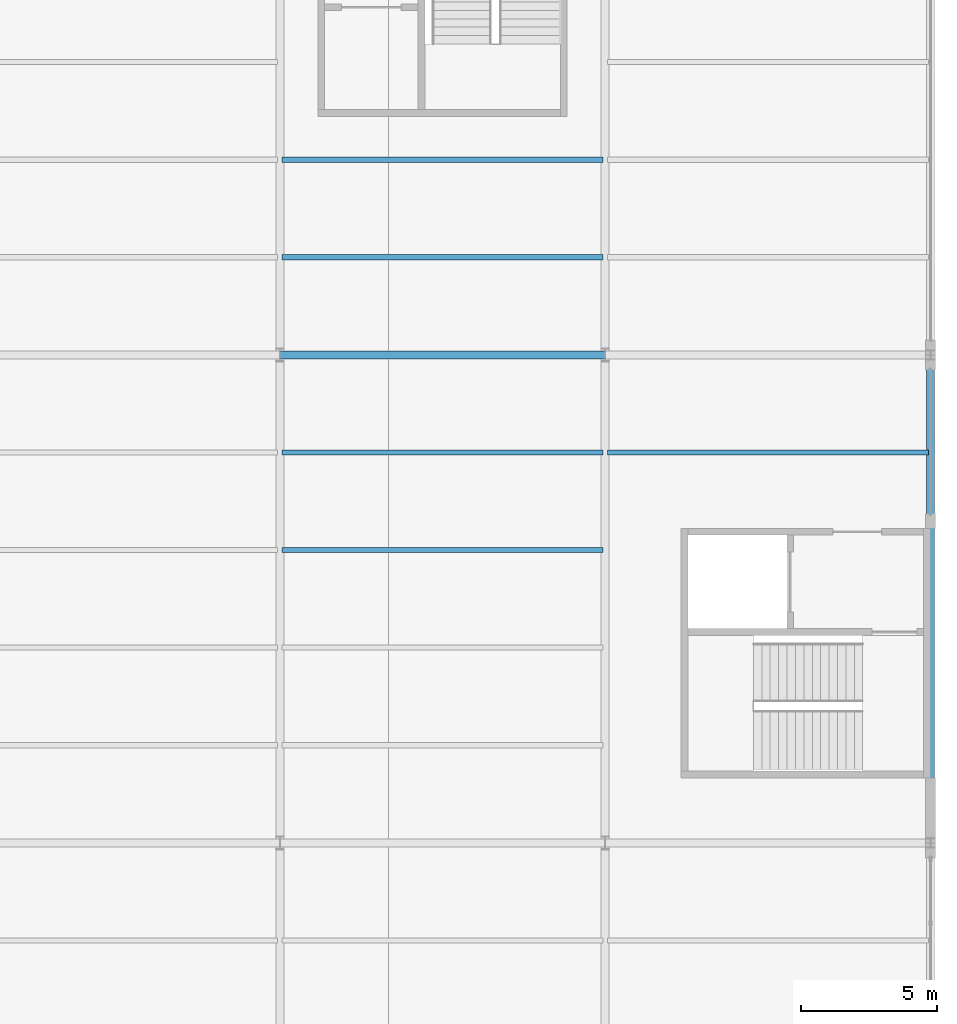
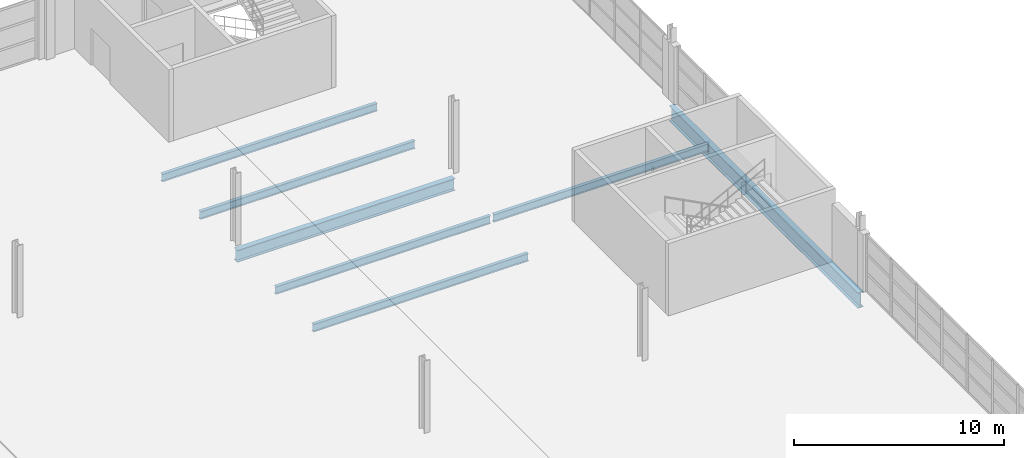
# One storey, part 105 of 147: 7 beams.
"""IFC4 building model written with IfcOpenShell, lengths in metres."""

from ifc_helpers import new_model, si_unit, direction, frame, origin, origin_2d, place, context, subcontext, project, spatial, i_section, extrude, material, material_profile, profile_set, type_object, element, save


model = new_model("IFC4")

# Units and contexts
model_context = context("Model", 3, precision=1e-05, world=origin(), true_north=direction((0.0, 1.0)))
body_context = subcontext(model_context, "Body", "Model", "MODEL_VIEW")
ifc_project = project(units=[si_unit("LENGTHUNIT", "METRE"), si_unit("AREAUNIT", "SQUARE_METRE"), si_unit("VOLUMEUNIT", "CUBIC_METRE"), si_unit("PLANEANGLEUNIT", "RADIAN"), si_unit("MASSUNIT", "GRAM", prefix="KILO")], contexts=[model_context])

# Site, building, storey
site_placement = place(None, origin())
site = spatial("IfcSite", under=ifc_project, at=site_placement, CompositionType="ELEMENT")
building_placement = place(site_placement, origin())
building = spatial("IfcBuilding", under=site, at=building_placement, Name="Zilviju Railside Exhibition Hall", CompositionType="ELEMENT")
storey_placement = place(building_placement, frame((0.0, 0.0, 8.39990234375)))
storey = spatial("IfcBuildingStorey", under=building, at=storey_placement, Name="L03", CompositionType="ELEMENT", Elevation=8.39990234375)

# Beams
ifc_material = material(Name="Steel S355J2", Category="steel")
ifc_material_profile_1 = material_profile(ifc_material, i_section(OverallWidth=0.300048828125, OverallDepth=0.699951171875, WebThickness=0.01708984375, FlangeThickness=0.031982421875, at=origin_2d()), Name="HEB 700")
ifc_profile_set_1 = profile_set([ifc_material_profile_1], Name="Steel S355J2")
beam_type_1 = type_object("IfcBeamType", Name="BM-HEB700", PredefinedType="BEAM", material=ifc_profile_set_1)
beam_1_placement = place(storey_placement, frame((192.0, 120.0, -0.72998046875), z_axis=(1.0, 0.0, 0.0), x_axis=(0.0, 1.0, 0.0)))
element("IfcBeam", 1, at=beam_1_placement, inside=storey, type_object=beam_type_1, Name="Primary Girder L03 Y=120.0 (192.0..204.0)", PredefinedType="BEAM", context=body_context, shape_type="SweptSolid", body=[
    extrude(i_section(OverallWidth=0.300048828125, OverallDepth=0.699951171875, WebThickness=0.01708984375, FlangeThickness=0.031982421875, at=origin_2d()), origin(), (0.0, 0.0, 1.0), 12.0),
])
ifc_material_profile_2 = material_profile(ifc_material, i_section(OverallWidth=0.300048828125, OverallDepth=0.89990234375, WebThickness=0.0185546875, FlangeThickness=0.034912109375, at=origin_2d()), Name="HEB 900")
ifc_profile_set_2 = profile_set([ifc_material_profile_2], Name="Steel S355J2")
beam_type_2 = type_object("IfcBeamType", Name="BM-HEB900", PredefinedType="BEAM", material=ifc_profile_set_2)
beam_2_placement = place(storey_placement, frame((216.0, 102.0, -0.829833984375), z_axis=(0.0, 1.0, 0.0), x_axis=(-1.0, 0.0, 0.0)))
element("IfcBeam", 2, at=beam_2_placement, inside=storey, type_object=beam_type_2, Name="Transverse Girder L03 X=216.0 (102.0..120.0)", PredefinedType="BEAM", context=body_context, shape_type="SweptSolid", body=[
    extrude(i_section(OverallWidth=0.300048828125, OverallDepth=0.89990234375, WebThickness=0.0185546875, FlangeThickness=0.034912109375, at=origin_2d()), origin(), (0.0, 0.0, 1.0), 18.0),
])
ifc_material_profile_3 = material_profile(ifc_material, i_section(OverallWidth=0.18994140625, OverallDepth=0.449951171875, WebThickness=0.009521484375, FlangeThickness=0.0146484375, at=origin_2d()), Name="IPE 450")
ifc_profile_set_3 = profile_set([ifc_material_profile_3], Name="Steel S355J2")
beam_type_3 = type_object("IfcBeamType", Name="BM-IPE450", PredefinedType="JOIST", material=ifc_profile_set_3)
for number, where, z_axis, x_axis, name in (
    (3, (192.080078125, 112.800048828125, -0.60498046875), (1.0, 0.0, 0.0), (0.0, 1.0, 0.0), "Composite Floor Joist L03 Y=112.80 (192.0..204.0)"),
    (4, (192.080078125, 116.39990234375, -0.60498046875), (1.0, 0.0, 0.0), (0.0, 1.0, 0.0), "Composite Floor Joist L03 Y=116.40 (192.0..204.0)"),
    (5, (192.080078125, 123.60009765625, -0.60498046875), (1.0, 0.0, 0.0), (0.0, 1.0, 0.0), "Composite Floor Joist L03 Y=123.60 (192.0..204.0)"),
    (6, (192.080078125, 127.199951171875, -0.60498046875), (1.0, 0.0, 0.0), (0.0, 1.0, 0.0), "Composite Floor Joist L03 Y=127.20 (192.0..204.0)"),
    (7, (204.080078125, 116.39990234375, -0.60498046875), (1.0, 0.0, 0.0), (0.0, 1.0, 0.0), "Composite Floor Joist L03 Y=116.40 (204.0..216.0)"),
):
    element("IfcBeam", number, at=place(storey_placement, frame(where, z_axis=z_axis, x_axis=x_axis)), inside=storey, type_object=beam_type_3, Name=name, PredefinedType="JOIST", context=body_context, shape_type="SweptSolid", body=[
        extrude(i_section(OverallWidth=0.18994140625, OverallDepth=0.449951171875, WebThickness=0.009521484375, FlangeThickness=0.0146484375, at=origin_2d()), origin(), (0.0, 0.0, 1.0), 11.83984375),
    ])

save(model, "model.ifc")
